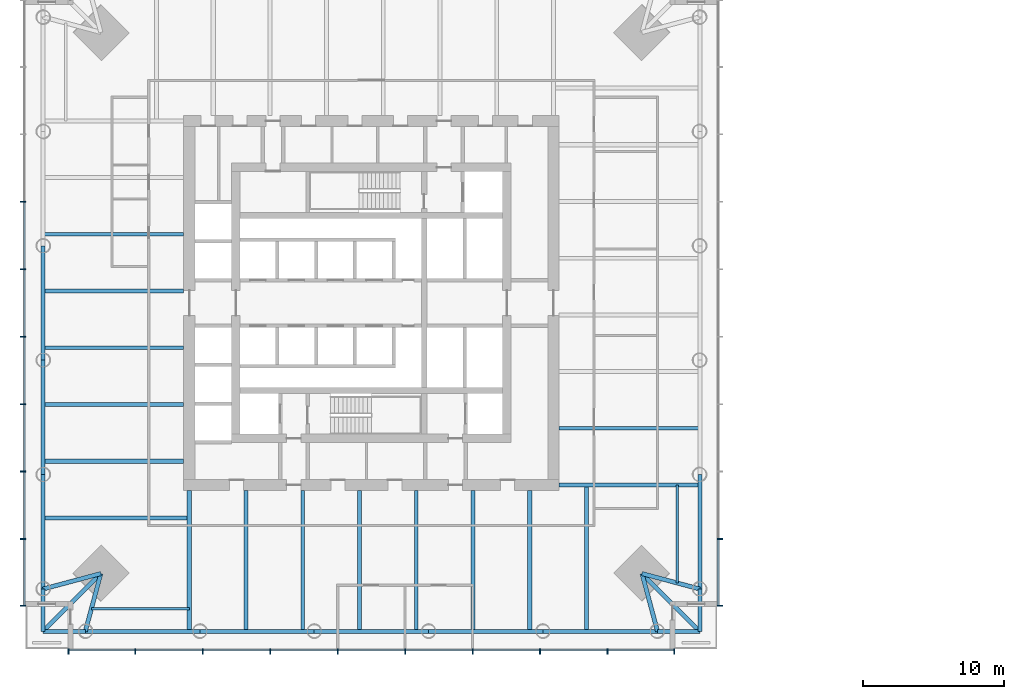
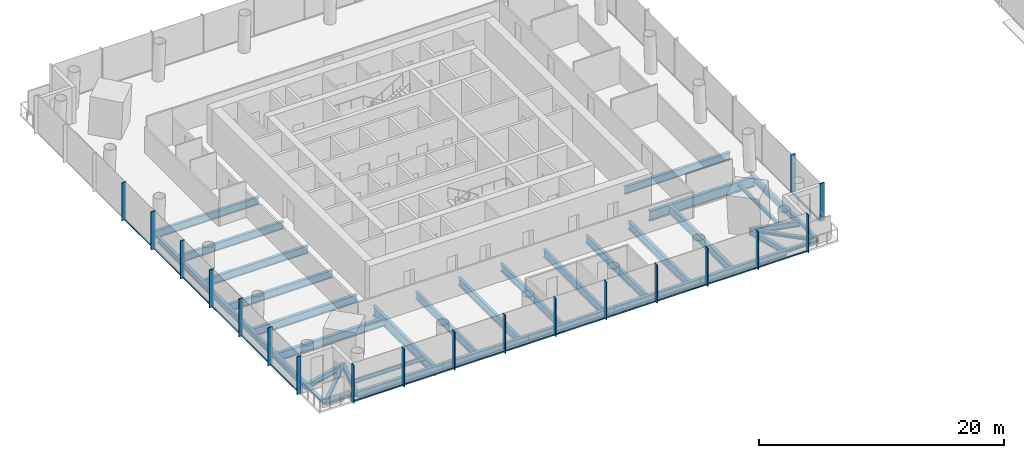
# One storey, part 2 of 21: 37 beams, 35 members, 3 elements without a shape of their own.
"""IFC4 building model written with IfcOpenShell, lengths in metres."""

from ifc_helpers import new_model, si_unit, direction, frame, origin, origin_2d, place, context, subcontext, project, spatial, rectangle, i_section, extrude, material, material_profile, profile_set, type_object, element, aggregate, save


model = new_model("IFC4")

# Units and contexts
model_context = context("Model", 3, precision=1e-05, world=origin(), true_north=direction((0.0, 1.0)))
body_context = subcontext(model_context, "Body", "Model", "MODEL_VIEW")
ifc_project = project(units=[si_unit("LENGTHUNIT", "METRE"), si_unit("AREAUNIT", "SQUARE_METRE"), si_unit("VOLUMEUNIT", "CUBIC_METRE"), si_unit("PLANEANGLEUNIT", "RADIAN"), si_unit("MASSUNIT", "GRAM", prefix="KILO")], contexts=[model_context])

# Site, building, storey
site_placement = place(None, origin())
site = spatial("IfcSite", under=ifc_project, at=site_placement, CompositionType="ELEMENT")
building_placement = place(site_placement, origin())
building = spatial("IfcBuilding", under=site, at=building_placement, Name="Ostroluk Exchange", CompositionType="ELEMENT")
storey_placement = place(building_placement, frame((0.0, 0.0, 43.800048828125)))
storey = spatial("IfcBuildingStorey", under=building, at=storey_placement, Name="L10", CompositionType="ELEMENT", Elevation=43.800048828125)

# Beams
ifc_material_1 = material(Name="Steel S355", Category="steel")
ifc_material_profile_1 = material_profile(ifc_material_1, i_section(OverallWidth=0.300048828125, OverallDepth=0.300048828125, WebThickness=0.010986328125, FlangeThickness=0.01904296875, FilletRadius=0.027099609375, at=origin_2d()), Name="HEB 300")
ifc_profile_set_1 = profile_set([ifc_material_profile_1], Name="Steel S355")
beam_type_1 = type_object("IfcBeamType", Name="Balcony beam HEB 300", PredefinedType="BEAM", material=ifc_profile_set_1)
for number, where, z_axis, x_axis, name in (
    (1, (21.728515625, 25.728515625, -0.330078125), (0.0, -1.0, 0.0), (1.0, 0.0, 0.0), "T1 west balcony beam a"),
    (2, (24.728515625, 22.728515625, -0.330078125), (-1.0, 0.0, 0.0), (0.0, -1.0, 0.0), "T1 west balcony beam b"),
):
    element("IfcBeam", number, at=place(storey_placement, frame(where, z_axis=z_axis, x_axis=x_axis)), inside=storey, type_object=beam_type_1, Name=name, PredefinedType="BEAM", context=body_context, shape_type="SweptSolid", body=[
        extrude(i_section(OverallWidth=0.300048828125, OverallDepth=0.300048828125, WebThickness=0.010986328125, FlangeThickness=0.01904296875, FilletRadius=0.027099609375, at=origin_2d()), origin(), (0.0, 0.0, 1.0), 3.0),
    ])
beam_1_placement = place(storey_placement, frame((25.82861328125, 26.82861328125, -0.330078125), z_axis=(-0.707106781187, -0.707106781187, 0.0), x_axis=(0.707106781187, -0.707106781187, 0.0)))
element("IfcBeam", 3, at=beam_1_placement, inside=storey, type_object=beam_type_1, Name="T1 west balcony beam c", PredefinedType="BEAM", context=body_context, shape_type="SweptSolid", body=[
    extrude(i_section(OverallWidth=0.300048828125, OverallDepth=0.300048828125, WebThickness=0.010986328125, FlangeThickness=0.01904296875, FilletRadius=0.027099609375, at=origin_2d()), origin(), (0.0, 0.0, 1.0), 5.79833984375),
])
for number, where, z_axis, x_axis, name in (
    (4, (65.271484375, 22.728515625, -0.330078125), (1.0, 0.0, 0.0), (0.0, 1.0, 0.0), "T1 south balcony beam a"),
    (5, (68.271484375, 25.728515625, -0.330078125), (0.0, -1.0, 0.0), (1.0, 0.0, 0.0), "T1 south balcony beam b"),
):
    element("IfcBeam", number, at=place(storey_placement, frame(where, z_axis=z_axis, x_axis=x_axis)), inside=storey, type_object=beam_type_1, Name=name, PredefinedType="BEAM", context=body_context, shape_type="SweptSolid", body=[
        extrude(i_section(OverallWidth=0.300048828125, OverallDepth=0.300048828125, WebThickness=0.010986328125, FlangeThickness=0.01904296875, FilletRadius=0.027099609375, at=origin_2d()), origin(), (0.0, 0.0, 1.0), 3.0),
    ])
beam_2_placement = place(storey_placement, frame((64.17138671875, 26.82861328125, -0.330078125), z_axis=(0.707106781187, -0.707106781187, 0.0), x_axis=(0.707106781187, 0.707106781187, 0.0)))
element("IfcBeam", 6, at=beam_2_placement, inside=storey, type_object=beam_type_1, Name="T1 south balcony beam c", PredefinedType="BEAM", context=body_context, shape_type="SweptSolid", body=[
    extrude(i_section(OverallWidth=0.300048828125, OverallDepth=0.300048828125, WebThickness=0.010986328125, FlangeThickness=0.01904296875, FilletRadius=0.027099609375, at=origin_2d()), origin(), (0.0, 0.0, 1.0), 5.79833984375),
])
ifc_material_2 = material(Name="Steel S355", Category="steel")
ifc_material_profile_2 = material_profile(ifc_material_2, i_section(OverallWidth=0.300048828125, OverallDepth=0.550048828125, WebThickness=0.014892578125, FlangeThickness=0.029052734375, FilletRadius=0.027099609375, at=origin_2d()), Name="HEB 550")
ifc_profile_set_2 = profile_set([ifc_material_profile_2], Name="Steel S355")
beam_type_2 = type_object("IfcBeamType", Name="Corner edge beam HEB 550", PredefinedType="SPANDREL", material=ifc_profile_set_2)
for number, where, z_axis, x_axis, name in (
    (7, (25.82861328125, 26.82861328125, -0.455078125), (-0.965838624319, -0.259144268261, 0.0), (0.259144268261, -0.965838624319, 0.0), "T1 west corner edge beam a"),
    (8, (25.82861328125, 26.82861328125, -0.455078125), (-0.259144268261, -0.965838624319, 0.0), (0.965838624319, -0.259144268261, 0.0), "T1 west corner edge beam b"),
    (9, (64.17138671875, 26.82861328125, -0.455078125), (0.259144268261, -0.965838624319, 0.0), (0.965838624319, 0.259144268261, 0.0), "T1 south corner edge beam a"),
    (10, (64.17138671875, 26.82861328125, -0.455078125), (0.965838624319, -0.259144268261, 0.0), (0.259144268261, 0.965838624319, 0.0), "T1 south corner edge beam b"),
):
    element("IfcBeam", number, at=place(storey_placement, frame(where, z_axis=z_axis, x_axis=x_axis)), inside=storey, type_object=beam_type_2, Name=name, PredefinedType="SPANDREL", context=body_context, shape_type="SweptSolid", body=[
        extrude(i_section(OverallWidth=0.300048828125, OverallDepth=0.550048828125, WebThickness=0.014892578125, FlangeThickness=0.029052734375, FilletRadius=0.027099609375, at=origin_2d()), origin(), (0.0, 0.0, 1.0), 4.2451171875),
    ])
ifc_material_3 = material(Name="Steel S355", Category="steel")
ifc_material_profile_3 = material_profile(ifc_material_3, i_section(OverallWidth=0.302978515625, OverallDepth=0.81396484375, WebThickness=0.02099609375, FlangeThickness=0.0400390625, FilletRadius=0.030029296875, at=origin_2d()), Name="HEM 800")
ifc_profile_set_3 = profile_set([ifc_material_profile_3], Name="Steel S355")
beam_type_3 = type_object("IfcBeamType", Name="Floor beam HEM 800", PredefinedType="BEAM", material=ifc_profile_set_3)
beam_3_placement = place(storey_placement, frame((31.699951171875, 34.78564453125, -0.587158203125), z_axis=(-1.0, 0.0, 0.0), x_axis=(0.0, -1.0, 0.0)))
element("IfcBeam", 11, at=beam_3_placement, inside=storey, type_object=beam_type_3, Name="T1 west floor beam 6", PredefinedType="BEAM", context=body_context, shape_type="SweptSolid", body=[
    extrude(i_section(OverallWidth=0.302978515625, OverallDepth=0.81396484375, WebThickness=0.02099609375, FlangeThickness=0.0400390625, FilletRadius=0.030029296875, at=origin_2d()), origin(), (0.0, 0.0, 1.0), 9.971435546875),
])
beam_4_placement = place(storey_placement, frame((32.10009765625, 30.7666015625, -0.587158203125), z_axis=(-1.0, 0.0, 0.0), x_axis=(0.0, -1.0, 0.0)))
element("IfcBeam", 12, at=beam_4_placement, inside=storey, type_object=beam_type_3, Name="T1 west floor beam 7", PredefinedType="BEAM", context=body_context, shape_type="SweptSolid", body=[
    extrude(i_section(OverallWidth=0.302978515625, OverallDepth=0.81396484375, WebThickness=0.02099609375, FlangeThickness=0.0400390625, FilletRadius=0.030029296875, at=origin_2d()), origin(), (0.0, 0.0, 1.0), 10.37158203125),
])
beam_5_placement = place(storey_placement, frame((56.21435546875, 32.699951171875, -0.587158203125), z_axis=(0.0, -1.0, 0.0), x_axis=(1.0, 0.0, 0.0)))
element("IfcBeam", 13, at=beam_5_placement, inside=storey, type_object=beam_type_3, Name="T1 south floor beam 6", PredefinedType="BEAM", context=body_context, shape_type="SweptSolid", body=[
    extrude(i_section(OverallWidth=0.302978515625, OverallDepth=0.81396484375, WebThickness=0.02099609375, FlangeThickness=0.0400390625, FilletRadius=0.030029296875, at=origin_2d()), origin(), (0.0, 0.0, 1.0), 9.971435546875),
])
beam_6_placement = place(storey_placement, frame((60.2333984375, 33.10009765625, -0.587158203125), z_axis=(0.0, -1.0, 0.0), x_axis=(1.0, 0.0, 0.0)))
element("IfcBeam", 14, at=beam_6_placement, inside=storey, type_object=beam_type_3, Name="T1 south floor beam 7", PredefinedType="BEAM", context=body_context, shape_type="SweptSolid", body=[
    extrude(i_section(OverallWidth=0.302978515625, OverallDepth=0.81396484375, WebThickness=0.02099609375, FlangeThickness=0.0400390625, FilletRadius=0.030029296875, at=origin_2d()), origin(), (0.0, 0.0, 1.0), 10.37158203125),
])
ifc_material_4 = material(Name="Steel S355", Category="steel")
ifc_material_profile_4 = material_profile(ifc_material_4, i_section(OverallWidth=0.179931640625, OverallDepth=0.39990234375, WebThickness=0.008544921875, FlangeThickness=0.013427734375, FilletRadius=0.02099609375, at=origin_2d()), Name="IPE 400")
ifc_profile_set_4 = profile_set([ifc_material_profile_4], Name="Steel S355")
beam_type_4 = type_object("IfcBeamType", Name="Floor beam IPE 400", PredefinedType="BEAM", material=ifc_profile_set_4)
for number, where, z_axis, x_axis, name in (
    (15, (32.10009765625, 24.32861328125, -0.380126953125), (-1.0, 0.0, 0.0), (0.0, -1.0, 0.0), "T1 west floor beam 8"),
    (16, (66.67138671875, 33.10009765625, -0.380126953125), (0.0, -1.0, 0.0), (1.0, 0.0, 0.0), "T1 south floor beam 8"),
):
    element("IfcBeam", number, at=place(storey_placement, frame(where, z_axis=z_axis, x_axis=x_axis)), inside=storey, type_object=beam_type_4, Name=name, PredefinedType="BEAM", context=body_context, shape_type="SweptSolid", body=[
        extrude(i_section(OverallWidth=0.179931640625, OverallDepth=0.39990234375, WebThickness=0.008544921875, FlangeThickness=0.013427734375, FilletRadius=0.02099609375, at=origin_2d()), origin(), (0.0, 0.0, 1.0), 6.942138671875),
    ])
ifc_material_5 = material(Name="Steel S355", Category="steel")
ifc_material_profile_5 = material_profile(ifc_material_5, i_section(OverallWidth=0.26806640625, OverallDepth=0.77001953125, WebThickness=0.015625, FlangeThickness=0.025390625, FilletRadius=0.01708984375, at=origin_2d()), Name="IPE 750x196")
ifc_profile_set_5 = profile_set([ifc_material_profile_5], Name="Steel S355")
beam_type_5 = type_object("IfcBeamType", Name="Floor beam IPE 750x196", PredefinedType="BEAM", material=ifc_profile_set_5)
for number, where, z_axis, x_axis, name in (
    (17, (58.300048828125, 37.119140625, -0.56494140625), (1.0, 0.0, 0.0), (0.0, 1.0, 0.0), "T1 east floor beam 1"),
    (18, (31.699951171875, 50.86181640625, -0.56494140625), (-1.0, 0.0, 0.0), (0.0, -1.0, 0.0), "T1 west floor beam 2"),
    (19, (31.699951171875, 46.8427734375, -0.56494140625), (-1.0, 0.0, 0.0), (0.0, -1.0, 0.0), "T1 west floor beam 3"),
    (20, (31.699951171875, 42.82373046875, -0.56494140625), (-1.0, 0.0, 0.0), (0.0, -1.0, 0.0), "T1 west floor beam 4"),
    (21, (31.699951171875, 38.8046875, -0.56494140625), (-1.0, 0.0, 0.0), (0.0, -1.0, 0.0), "T1 west floor beam 5"),
    (22, (36.119140625, 32.699951171875, -0.56494140625), (0.0, -1.0, 0.0), (1.0, 0.0, 0.0), "T1 south floor beam 1"),
    (23, (40.13818359375, 32.699951171875, -0.56494140625), (0.0, -1.0, 0.0), (1.0, 0.0, 0.0), "T1 south floor beam 2"),
    (24, (44.1572265625, 32.699951171875, -0.56494140625), (0.0, -1.0, 0.0), (1.0, 0.0, 0.0), "T1 south floor beam 3"),
    (25, (48.17626953125, 32.699951171875, -0.56494140625), (0.0, -1.0, 0.0), (1.0, 0.0, 0.0), "T1 south floor beam 4"),
    (26, (52.1953125, 32.699951171875, -0.56494140625), (0.0, -1.0, 0.0), (1.0, 0.0, 0.0), "T1 south floor beam 5"),
):
    element("IfcBeam", number, at=place(storey_placement, frame(where, z_axis=z_axis, x_axis=x_axis)), inside=storey, type_object=beam_type_5, Name=name, PredefinedType="BEAM", context=body_context, shape_type="SweptSolid", body=[
        extrude(i_section(OverallWidth=0.26806640625, OverallDepth=0.77001953125, WebThickness=0.015625, FlangeThickness=0.025390625, FilletRadius=0.01708984375, at=origin_2d()), origin(), (0.0, 0.0, 1.0), 9.971435546875),
    ])
ifc_material_6 = material(Name="Steel S355", Category="steel")
ifc_material_profile_6 = material_profile(ifc_material_6, i_section(OverallWidth=0.302001953125, OverallDepth=1.008056640625, WebThickness=0.02099609375, FlangeThickness=0.0400390625, FilletRadius=0.030029296875, at=origin_2d()), Name="HEM 1000")
ifc_profile_set_6 = profile_set([ifc_material_profile_6], Name="Steel S355")
beam_type_6 = type_object("IfcBeamType", Name="Girder HEM 1000", PredefinedType="BEAM", material=ifc_profile_set_6)
for number, where, z_axis, x_axis, name in (
    (27, (32.10009765625, 32.699951171875, -0.68408203125), (0.0, -1.0, 0.0), (1.0, 0.0, 0.0), "T1 west girder"),
    (28, (58.300048828125, 33.10009765625, -0.68408203125), (1.0, 0.0, 0.0), (0.0, 1.0, 0.0), "T1 south girder"),
):
    element("IfcBeam", number, at=place(storey_placement, frame(where, z_axis=z_axis, x_axis=x_axis)), inside=storey, type_object=beam_type_6, Name=name, PredefinedType="BEAM", context=body_context, shape_type="SweptSolid", body=[
        extrude(i_section(OverallWidth=0.302001953125, OverallDepth=1.008056640625, WebThickness=0.02099609375, FlangeThickness=0.0400390625, FilletRadius=0.030029296875, at=origin_2d()), origin(), (0.0, 0.0, 1.0), 9.971435546875),
    ])
ifc_material_7 = material(Name="Steel S355", Category="steel")
ifc_material_profile_7 = material_profile(ifc_material_7, i_section(OverallWidth=0.300048828125, OverallDepth=0.60009765625, WebThickness=0.015380859375, FlangeThickness=0.030029296875, FilletRadius=0.027099609375, at=origin_2d()), Name="HEB 600")
ifc_profile_set_7 = profile_set([ifc_material_profile_7], Name="Steel S355")
beam_type_7 = type_object("IfcBeamType", Name="Moment-connected edge beam HEB 600", PredefinedType="SPANDREL", material=ifc_profile_set_7)
beam_7_placement = place(storey_placement, frame((68.271484375, 25.728515625, -0.47998046875), z_axis=(0.0, 1.0, 0.0), x_axis=(-1.0, 0.0, 0.0)))
element("IfcBeam", 29, at=beam_7_placement, inside=storey, type_object=beam_type_7, Name="T1 east edge beam 1", PredefinedType="SPANDREL", context=body_context, shape_type="SweptSolid", body=[
    extrude(i_section(OverallWidth=0.300048828125, OverallDepth=0.60009765625, WebThickness=0.015380859375, FlangeThickness=0.030029296875, FilletRadius=0.027099609375, at=origin_2d()), origin(), (0.0, 0.0, 1.0), 8.108642578125),
])
beam_8_placement = place(storey_placement, frame((21.728515625, 50.05419921875, -0.47998046875), z_axis=(0.0, -1.0, 0.0), x_axis=(1.0, 0.0, 0.0)))
element("IfcBeam", 30, at=beam_8_placement, inside=storey, type_object=beam_type_7, Name="T1 west edge beam 3", PredefinedType="SPANDREL", context=body_context, shape_type="SweptSolid", body=[
    extrude(i_section(OverallWidth=0.300048828125, OverallDepth=0.60009765625, WebThickness=0.015380859375, FlangeThickness=0.030029296875, FilletRadius=0.027099609375, at=origin_2d()), origin(), (0.0, 0.0, 1.0), 8.1083984375),
])
for number, where, z_axis, x_axis, name in (
    (31, (21.728515625, 41.94580078125, -0.47998046875), (0.0, -1.0, 0.0), (1.0, 0.0, 0.0), "T1 west edge beam 4"),
    (32, (21.728515625, 33.837158203125, -0.47998046875), (0.0, -1.0, 0.0), (1.0, 0.0, 0.0), "T1 west edge beam 5"),
    (33, (24.728515625, 22.728515625, -0.47998046875), (1.0, 0.0, 0.0), (0.0, 1.0, 0.0), "T1 south edge beam 1"),
    (34, (32.837158203125, 22.728515625, -0.47998046875), (1.0, 0.0, 0.0), (0.0, 1.0, 0.0), "T1 south edge beam 2"),
):
    element("IfcBeam", number, at=place(storey_placement, frame(where, z_axis=z_axis, x_axis=x_axis)), inside=storey, type_object=beam_type_7, Name=name, PredefinedType="SPANDREL", context=body_context, shape_type="SweptSolid", body=[
        extrude(i_section(OverallWidth=0.300048828125, OverallDepth=0.60009765625, WebThickness=0.015380859375, FlangeThickness=0.030029296875, FilletRadius=0.027099609375, at=origin_2d()), origin(), (0.0, 0.0, 1.0), 8.108642578125),
    ])
beam_9_placement = place(storey_placement, frame((40.94580078125, 22.728515625, -0.47998046875), z_axis=(1.0, 0.0, 0.0), x_axis=(0.0, 1.0, 0.0)))
element("IfcBeam", 35, at=beam_9_placement, inside=storey, type_object=beam_type_7, Name="T1 south edge beam 3", PredefinedType="SPANDREL", context=body_context, shape_type="SweptSolid", body=[
    extrude(i_section(OverallWidth=0.300048828125, OverallDepth=0.60009765625, WebThickness=0.015380859375, FlangeThickness=0.030029296875, FilletRadius=0.027099609375, at=origin_2d()), origin(), (0.0, 0.0, 1.0), 8.1083984375),
])
for number, where, z_axis, x_axis, name in (
    (36, (49.05419921875, 22.728515625, -0.47998046875), (1.0, 0.0, 0.0), (0.0, 1.0, 0.0), "T1 south edge beam 4"),
    (37, (57.162841796875, 22.728515625, -0.47998046875), (1.0, 0.0, 0.0), (0.0, 1.0, 0.0), "T1 south edge beam 5"),
):
    element("IfcBeam", number, at=place(storey_placement, frame(where, z_axis=z_axis, x_axis=x_axis)), inside=storey, type_object=beam_type_7, Name=name, PredefinedType="SPANDREL", context=body_context, shape_type="SweptSolid", body=[
        extrude(i_section(OverallWidth=0.300048828125, OverallDepth=0.60009765625, WebThickness=0.015380859375, FlangeThickness=0.030029296875, FilletRadius=0.027099609375, at=origin_2d()), origin(), (0.0, 0.0, 1.0), 8.108642578125),
    ])

# Curtain wall, members
ifc_material_8 = material(Name="Laminated clear glass", Category="glass")
curtain_wall_type = type_object("IfcCurtainWallType", Name="Office tower facade", PredefinedType="USERDEFINED", material=ifc_material_8)
curtain_wall_1_placement = place(storey_placement, origin())
curtain_wall_1 = element("IfcCurtainWall", 38, at=curtain_wall_1_placement, inside=storey, type_object=curtain_wall_type, Name="Office tower south facade L10", ObjectType="UNITISED CURTAIN WALL", PredefinedType="USERDEFINED")
ifc_material_9 = material(Name="Aluminium mullion", Category="aluminium")
ifc_material_profile_8 = material_profile(ifc_material_9, rectangle(XDim=0.14990234375, YDim=0.080078125, at=origin_2d()), Name="Sill transom 80 x 150")
ifc_profile_set_8 = profile_set([ifc_material_profile_8], Name="Aluminium mullion")
member_type_1 = type_object("IfcMemberType", Name="Sill transom 80 x 150", PredefinedType="USERDEFINED", material=ifc_profile_set_8)
member_1_placement = place(storey_placement, frame((23.580078125, 21.425048828125, 0.0400390625), z_axis=(1.0, 0.0, 0.0), x_axis=(0.0, 1.0, 0.0)))
member_1 = element("IfcMember", 39, at=member_1_placement, type_object=member_type_1, Name="CW-O1 transom 1.1", ObjectType="TRANSOM", PredefinedType="USERDEFINED", context=body_context, shape_type="SweptSolid", body=[
    extrude(rectangle(XDim=0.14990234375, YDim=0.080078125, at=origin_2d()), origin(), (0.0, 0.0, 1.0), 4.65771484375),
])
member_2_placement = place(storey_placement, frame((28.31787109375, 21.425048828125, 0.0400390625), z_axis=(1.0, 0.0, 0.0), x_axis=(0.0, 1.0, 0.0)))
member_2 = element("IfcMember", 40, at=member_2_placement, type_object=member_type_1, Name="CW-O1 transom 2.1", ObjectType="TRANSOM", PredefinedType="USERDEFINED", context=body_context, shape_type="SweptSolid", body=[
    extrude(rectangle(XDim=0.14990234375, YDim=0.080078125, at=origin_2d()), origin(), (0.0, 0.0, 1.0), 4.69775390625),
])
member_3_placement = place(storey_placement, frame((33.095458984375, 21.425048828125, 0.0400390625), z_axis=(1.0, 0.0, 0.0), x_axis=(0.0, 1.0, 0.0)))
member_3 = element("IfcMember", 41, at=member_3_placement, type_object=member_type_1, Name="CW-O1 transom 3.1", ObjectType="TRANSOM", PredefinedType="USERDEFINED", context=body_context, shape_type="SweptSolid", body=[
    extrude(rectangle(XDim=0.14990234375, YDim=0.080078125, at=origin_2d()), origin(), (0.0, 0.0, 1.0), 4.69775390625),
])
member_4_placement = place(storey_placement, frame((37.873291015625, 21.425048828125, 0.0400390625), z_axis=(1.0, 0.0, 0.0), x_axis=(0.0, 1.0, 0.0)))
member_4 = element("IfcMember", 42, at=member_4_placement, type_object=member_type_1, Name="CW-O1 transom 4.1", ObjectType="TRANSOM", PredefinedType="USERDEFINED", context=body_context, shape_type="SweptSolid", body=[
    extrude(rectangle(XDim=0.14990234375, YDim=0.080078125, at=origin_2d()), origin(), (0.0, 0.0, 1.0), 4.69775390625),
])
member_5_placement = place(storey_placement, frame((42.651123046875, 21.425048828125, 0.0400390625), z_axis=(1.0, 0.0, 0.0), x_axis=(0.0, 1.0, 0.0)))
member_5 = element("IfcMember", 43, at=member_5_placement, type_object=member_type_1, Name="CW-O1 transom 5.1", ObjectType="TRANSOM", PredefinedType="USERDEFINED", context=body_context, shape_type="SweptSolid", body=[
    extrude(rectangle(XDim=0.14990234375, YDim=0.080078125, at=origin_2d()), origin(), (0.0, 0.0, 1.0), 4.69775390625),
])
member_6_placement = place(storey_placement, frame((47.428955078125, 21.425048828125, 0.0400390625), z_axis=(1.0, 0.0, 0.0), x_axis=(0.0, 1.0, 0.0)))
member_6 = element("IfcMember", 44, at=member_6_placement, type_object=member_type_1, Name="CW-O1 transom 6.1", ObjectType="TRANSOM", PredefinedType="USERDEFINED", context=body_context, shape_type="SweptSolid", body=[
    extrude(rectangle(XDim=0.14990234375, YDim=0.080078125, at=origin_2d()), origin(), (0.0, 0.0, 1.0), 4.69775390625),
])
member_7_placement = place(storey_placement, frame((52.206787109375, 21.425048828125, 0.0400390625), z_axis=(1.0, 0.0, 0.0), x_axis=(0.0, 1.0, 0.0)))
member_7 = element("IfcMember", 45, at=member_7_placement, type_object=member_type_1, Name="CW-O1 transom 7.1", ObjectType="TRANSOM", PredefinedType="USERDEFINED", context=body_context, shape_type="SweptSolid", body=[
    extrude(rectangle(XDim=0.14990234375, YDim=0.080078125, at=origin_2d()), origin(), (0.0, 0.0, 1.0), 4.69775390625),
])
member_8_placement = place(storey_placement, frame((56.984375, 21.425048828125, 0.0400390625), z_axis=(1.0, 0.0, 0.0), x_axis=(0.0, 1.0, 0.0)))
member_8 = element("IfcMember", 46, at=member_8_placement, type_object=member_type_1, Name="CW-O1 transom 8.1", ObjectType="TRANSOM", PredefinedType="USERDEFINED", context=body_context, shape_type="SweptSolid", body=[
    extrude(rectangle(XDim=0.14990234375, YDim=0.080078125, at=origin_2d()), origin(), (0.0, 0.0, 1.0), 4.69775390625),
])
member_9_placement = place(storey_placement, frame((61.76220703125, 21.425048828125, 0.0400390625), z_axis=(1.0, 0.0, 0.0), x_axis=(0.0, 1.0, 0.0)))
member_9 = element("IfcMember", 47, at=member_9_placement, type_object=member_type_1, Name="CW-O1 transom 9.1", ObjectType="TRANSOM", PredefinedType="USERDEFINED", context=body_context, shape_type="SweptSolid", body=[
    extrude(rectangle(XDim=0.14990234375, YDim=0.080078125, at=origin_2d()), origin(), (0.0, 0.0, 1.0), 4.65771484375),
])

# Curtain wall, member
curtain_wall_2_placement = place(storey_placement, origin())
curtain_wall_2 = element("IfcCurtainWall", 48, at=curtain_wall_2_placement, inside=storey, type_object=curtain_wall_type, Name="Office tower east facade L10", ObjectType="UNITISED CURTAIN WALL", PredefinedType="USERDEFINED")
member_10_placement = place(storey_placement, frame((69.574951171875, 24.580078125, 0.0400390625), z_axis=(0.0, 1.0, 0.0), x_axis=(-1.0, 0.0, 0.0)))
member_10 = element("IfcMember", 49, at=member_10_placement, type_object=member_type_1, Name="CW-O1 transom 1.1", ObjectType="TRANSOM", PredefinedType="USERDEFINED", context=body_context, shape_type="SweptSolid", body=[
    extrude(rectangle(XDim=0.14990234375, YDim=0.080078125, at=origin_2d()), origin(), (0.0, 0.0, 1.0), 4.65771484375),
])

# Curtain wall, members
curtain_wall_3_placement = place(storey_placement, origin())
curtain_wall_3 = element("IfcCurtainWall", 50, at=curtain_wall_3_placement, inside=storey, type_object=curtain_wall_type, Name="Office tower west facade L10", ObjectType="UNITISED CURTAIN WALL", PredefinedType="USERDEFINED")
member_11_placement = place(storey_placement, frame((20.425048828125, 53.126708984375, 0.0400390625), z_axis=(0.0, -1.0, 0.0), x_axis=(1.0, 0.0, 0.0)))
member_11 = element("IfcMember", 51, at=member_11_placement, type_object=member_type_1, Name="CW-O1 transom 4.1", ObjectType="TRANSOM", PredefinedType="USERDEFINED", context=body_context, shape_type="SweptSolid", body=[
    extrude(rectangle(XDim=0.14990234375, YDim=0.080078125, at=origin_2d()), origin(), (0.0, 0.0, 1.0), 4.69775390625),
])
member_12_placement = place(storey_placement, frame((20.425048828125, 48.348876953125, 0.0400390625), z_axis=(0.0, -1.0, 0.0), x_axis=(1.0, 0.0, 0.0)))
member_12 = element("IfcMember", 52, at=member_12_placement, type_object=member_type_1, Name="CW-O1 transom 5.1", ObjectType="TRANSOM", PredefinedType="USERDEFINED", context=body_context, shape_type="SweptSolid", body=[
    extrude(rectangle(XDim=0.14990234375, YDim=0.080078125, at=origin_2d()), origin(), (0.0, 0.0, 1.0), 4.69775390625),
])
member_13_placement = place(storey_placement, frame((20.425048828125, 43.571044921875, 0.0400390625), z_axis=(0.0, -1.0, 0.0), x_axis=(1.0, 0.0, 0.0)))
member_13 = element("IfcMember", 53, at=member_13_placement, type_object=member_type_1, Name="CW-O1 transom 6.1", ObjectType="TRANSOM", PredefinedType="USERDEFINED", context=body_context, shape_type="SweptSolid", body=[
    extrude(rectangle(XDim=0.14990234375, YDim=0.080078125, at=origin_2d()), origin(), (0.0, 0.0, 1.0), 4.69775390625),
])
member_14_placement = place(storey_placement, frame((20.425048828125, 38.793212890625, 0.0400390625), z_axis=(0.0, -1.0, 0.0), x_axis=(1.0, 0.0, 0.0)))
member_14 = element("IfcMember", 54, at=member_14_placement, type_object=member_type_1, Name="CW-O1 transom 7.1", ObjectType="TRANSOM", PredefinedType="USERDEFINED", context=body_context, shape_type="SweptSolid", body=[
    extrude(rectangle(XDim=0.14990234375, YDim=0.080078125, at=origin_2d()), origin(), (0.0, 0.0, 1.0), 4.69775390625),
])
member_15_placement = place(storey_placement, frame((20.425048828125, 34.015625, 0.0400390625), z_axis=(0.0, -1.0, 0.0), x_axis=(1.0, 0.0, 0.0)))
member_15 = element("IfcMember", 55, at=member_15_placement, type_object=member_type_1, Name="CW-O1 transom 8.1", ObjectType="TRANSOM", PredefinedType="USERDEFINED", context=body_context, shape_type="SweptSolid", body=[
    extrude(rectangle(XDim=0.14990234375, YDim=0.080078125, at=origin_2d()), origin(), (0.0, 0.0, 1.0), 4.69775390625),
])
member_16_placement = place(storey_placement, frame((20.425048828125, 29.23779296875, 0.0400390625), z_axis=(0.0, -1.0, 0.0), x_axis=(1.0, 0.0, 0.0)))
member_16 = element("IfcMember", 56, at=member_16_placement, type_object=member_type_1, Name="CW-O1 transom 9.1", ObjectType="TRANSOM", PredefinedType="USERDEFINED", context=body_context, shape_type="SweptSolid", body=[
    extrude(rectangle(XDim=0.14990234375, YDim=0.080078125, at=origin_2d()), origin(), (0.0, 0.0, 1.0), 4.65771484375),
])

# Member
ifc_material_10 = material(Name="Aluminium mullion with limestone facing", Category="masonry")
ifc_material_profile_9 = material_profile(ifc_material_10, rectangle(XDim=0.39990234375, YDim=0.080078125, at=origin_2d()), Name="Tracery mullion 80 x 400")
ifc_profile_set_9 = profile_set([ifc_material_profile_9], Name="Aluminium mullion with limestone facing")
member_type_2 = type_object("IfcMemberType", Name="Tracery mullion 80 x 400", PredefinedType="MULLION", material=ifc_profile_set_9)
member_17_placement = place(storey_placement, frame((23.5400390625, 21.300048828125, 0.0), z_axis=(0.0, 0.0, 1.0), x_axis=(0.0, 1.0, 0.0)))
member_17 = element("IfcMember", 57, at=member_17_placement, type_object=member_type_2, Name="CW-O1 mullion 1", PredefinedType="MULLION", context=body_context, shape_type="SweptSolid", body=[
    extrude(rectangle(XDim=0.39990234375, YDim=0.080078125, at=origin_2d()), origin(), (0.0, 0.0, 1.0), 3.800048828125),
])

member_18_placement = place(storey_placement, frame((28.27783203125, 21.300048828125, 0.0), z_axis=(0.0, 0.0, 1.0), x_axis=(0.0, 1.0, 0.0)))
member_18 = element("IfcMember", 58, at=member_18_placement, type_object=member_type_2, Name="CW-O1 mullion 2", PredefinedType="MULLION", context=body_context, shape_type="SweptSolid", body=[
    extrude(rectangle(XDim=0.39990234375, YDim=0.080078125, at=origin_2d()), origin(), (0.0, 0.0, 1.0), 3.800048828125),
])

member_19_placement = place(storey_placement, frame((33.0556640625, 21.300048828125, 0.0), z_axis=(0.0, 0.0, 1.0), x_axis=(0.0, 1.0, 0.0)))
member_19 = element("IfcMember", 59, at=member_19_placement, type_object=member_type_2, Name="CW-O1 mullion 3", PredefinedType="MULLION", context=body_context, shape_type="SweptSolid", body=[
    extrude(rectangle(XDim=0.39990234375, YDim=0.080078125, at=origin_2d()), origin(), (0.0, 0.0, 1.0), 3.800048828125),
])

member_20_placement = place(storey_placement, frame((37.833251953125, 21.300048828125, 0.0), z_axis=(0.0, 0.0, 1.0), x_axis=(0.0, 1.0, 0.0)))
member_20 = element("IfcMember", 60, at=member_20_placement, type_object=member_type_2, Name="CW-O1 mullion 4", PredefinedType="MULLION", context=body_context, shape_type="SweptSolid", body=[
    extrude(rectangle(XDim=0.39990234375, YDim=0.080078125, at=origin_2d()), origin(), (0.0, 0.0, 1.0), 3.800048828125),
])

member_21_placement = place(storey_placement, frame((42.611083984375, 21.300048828125, 0.0), z_axis=(0.0, 0.0, 1.0), x_axis=(0.0, 1.0, 0.0)))
member_21 = element("IfcMember", 61, at=member_21_placement, type_object=member_type_2, Name="CW-O1 mullion 5", PredefinedType="MULLION", context=body_context, shape_type="SweptSolid", body=[
    extrude(rectangle(XDim=0.39990234375, YDim=0.080078125, at=origin_2d()), origin(), (0.0, 0.0, 1.0), 3.800048828125),
])

member_22_placement = place(storey_placement, frame((47.388916015625, 21.300048828125, 0.0), z_axis=(0.0, 0.0, 1.0), x_axis=(0.0, 1.0, 0.0)))
member_22 = element("IfcMember", 62, at=member_22_placement, type_object=member_type_2, Name="CW-O1 mullion 6", PredefinedType="MULLION", context=body_context, shape_type="SweptSolid", body=[
    extrude(rectangle(XDim=0.39990234375, YDim=0.080078125, at=origin_2d()), origin(), (0.0, 0.0, 1.0), 3.800048828125),
])

member_23_placement = place(storey_placement, frame((52.166748046875, 21.300048828125, 0.0), z_axis=(0.0, 0.0, 1.0), x_axis=(0.0, 1.0, 0.0)))
member_23 = element("IfcMember", 63, at=member_23_placement, type_object=member_type_2, Name="CW-O1 mullion 7", PredefinedType="MULLION", context=body_context, shape_type="SweptSolid", body=[
    extrude(rectangle(XDim=0.39990234375, YDim=0.080078125, at=origin_2d()), origin(), (0.0, 0.0, 1.0), 3.800048828125),
])

member_24_placement = place(storey_placement, frame((56.9443359375, 21.300048828125, 0.0), z_axis=(0.0, 0.0, 1.0), x_axis=(0.0, 1.0, 0.0)))
member_24 = element("IfcMember", 64, at=member_24_placement, type_object=member_type_2, Name="CW-O1 mullion 8", PredefinedType="MULLION", context=body_context, shape_type="SweptSolid", body=[
    extrude(rectangle(XDim=0.39990234375, YDim=0.080078125, at=origin_2d()), origin(), (0.0, 0.0, 1.0), 3.800048828125),
])

member_25_placement = place(storey_placement, frame((61.72216796875, 21.300048828125, 0.0), z_axis=(0.0, 0.0, 1.0), x_axis=(0.0, 1.0, 0.0)))
member_25 = element("IfcMember", 65, at=member_25_placement, type_object=member_type_2, Name="CW-O1 mullion 9", PredefinedType="MULLION", context=body_context, shape_type="SweptSolid", body=[
    extrude(rectangle(XDim=0.39990234375, YDim=0.080078125, at=origin_2d()), origin(), (0.0, 0.0, 1.0), 3.800048828125),
])

member_26_placement = place(storey_placement, frame((66.4599609375, 21.300048828125, 0.0), z_axis=(0.0, 0.0, 1.0), x_axis=(0.0, 1.0, 0.0)))
member_26 = element("IfcMember", 66, at=member_26_placement, type_object=member_type_2, Name="CW-O1 mullion 10", PredefinedType="MULLION", context=body_context, shape_type="SweptSolid", body=[
    extrude(rectangle(XDim=0.39990234375, YDim=0.080078125, at=origin_2d()), origin(), (0.0, 0.0, 1.0), 3.800048828125),
])

aggregate(curtain_wall_1, [member_17, member_18, member_19, member_20, member_21, member_22, member_23, member_24, member_25, member_26, member_1, member_2, member_3, member_4, member_5, member_6, member_7, member_8, member_9])

member_27_placement = place(storey_placement, frame((69.699951171875, 24.5400390625, 0.0), z_axis=(0.0, 0.0, 1.0), x_axis=(-1.0, 0.0, 0.0)))
member_27 = element("IfcMember", 67, at=member_27_placement, type_object=member_type_2, Name="CW-O1 mullion 1", PredefinedType="MULLION", context=body_context, shape_type="SweptSolid", body=[
    extrude(rectangle(XDim=0.39990234375, YDim=0.080078125, at=origin_2d()), origin(), (0.0, 0.0, 1.0), 3.800048828125),
])

member_28_placement = place(storey_placement, frame((69.699951171875, 29.27783203125, 0.0), z_axis=(0.0, 0.0, 1.0), x_axis=(-1.0, 0.0, 0.0)))
member_28 = element("IfcMember", 68, at=member_28_placement, type_object=member_type_2, Name="CW-O1 mullion 2", PredefinedType="MULLION", context=body_context, shape_type="SweptSolid", body=[
    extrude(rectangle(XDim=0.39990234375, YDim=0.080078125, at=origin_2d()), origin(), (0.0, 0.0, 1.0), 3.800048828125),
])

aggregate(curtain_wall_2, [member_27, member_28, member_10])

member_29_placement = place(storey_placement, frame((20.300048828125, 53.166748046875, 0.0), z_axis=(0.0, 0.0, 1.0), x_axis=(1.0, 0.0, 0.0)))
member_29 = element("IfcMember", 69, at=member_29_placement, type_object=member_type_2, Name="CW-O1 mullion 4", PredefinedType="MULLION", context=body_context, shape_type="SweptSolid", body=[
    extrude(rectangle(XDim=0.39990234375, YDim=0.080078125, at=origin_2d()), origin(), (0.0, 0.0, 1.0), 3.800048828125),
])

member_30_placement = place(storey_placement, frame((20.300048828125, 48.388916015625, 0.0), z_axis=(0.0, 0.0, 1.0), x_axis=(1.0, 0.0, 0.0)))
member_30 = element("IfcMember", 70, at=member_30_placement, type_object=member_type_2, Name="CW-O1 mullion 5", PredefinedType="MULLION", context=body_context, shape_type="SweptSolid", body=[
    extrude(rectangle(XDim=0.39990234375, YDim=0.080078125, at=origin_2d()), origin(), (0.0, 0.0, 1.0), 3.800048828125),
])

member_31_placement = place(storey_placement, frame((20.300048828125, 43.611083984375, 0.0), z_axis=(0.0, 0.0, 1.0), x_axis=(1.0, 0.0, 0.0)))
member_31 = element("IfcMember", 71, at=member_31_placement, type_object=member_type_2, Name="CW-O1 mullion 6", PredefinedType="MULLION", context=body_context, shape_type="SweptSolid", body=[
    extrude(rectangle(XDim=0.39990234375, YDim=0.080078125, at=origin_2d()), origin(), (0.0, 0.0, 1.0), 3.800048828125),
])

member_32_placement = place(storey_placement, frame((20.300048828125, 38.833251953125, 0.0), z_axis=(0.0, 0.0, 1.0), x_axis=(1.0, 0.0, 0.0)))
member_32 = element("IfcMember", 72, at=member_32_placement, type_object=member_type_2, Name="CW-O1 mullion 7", PredefinedType="MULLION", context=body_context, shape_type="SweptSolid", body=[
    extrude(rectangle(XDim=0.39990234375, YDim=0.080078125, at=origin_2d()), origin(), (0.0, 0.0, 1.0), 3.800048828125),
])

member_33_placement = place(storey_placement, frame((20.300048828125, 34.0556640625, 0.0), z_axis=(0.0, 0.0, 1.0), x_axis=(1.0, 0.0, 0.0)))
member_33 = element("IfcMember", 73, at=member_33_placement, type_object=member_type_2, Name="CW-O1 mullion 8", PredefinedType="MULLION", context=body_context, shape_type="SweptSolid", body=[
    extrude(rectangle(XDim=0.39990234375, YDim=0.080078125, at=origin_2d()), origin(), (0.0, 0.0, 1.0), 3.800048828125),
])

member_34_placement = place(storey_placement, frame((20.300048828125, 29.27783203125, 0.0), z_axis=(0.0, 0.0, 1.0), x_axis=(1.0, 0.0, 0.0)))
member_34 = element("IfcMember", 74, at=member_34_placement, type_object=member_type_2, Name="CW-O1 mullion 9", PredefinedType="MULLION", context=body_context, shape_type="SweptSolid", body=[
    extrude(rectangle(XDim=0.39990234375, YDim=0.080078125, at=origin_2d()), origin(), (0.0, 0.0, 1.0), 3.800048828125),
])

member_35_placement = place(storey_placement, frame((20.300048828125, 24.5400390625, 0.0), z_axis=(0.0, 0.0, 1.0), x_axis=(1.0, 0.0, 0.0)))
member_35 = element("IfcMember", 75, at=member_35_placement, type_object=member_type_2, Name="CW-O1 mullion 10", PredefinedType="MULLION", context=body_context, shape_type="SweptSolid", body=[
    extrude(rectangle(XDim=0.39990234375, YDim=0.080078125, at=origin_2d()), origin(), (0.0, 0.0, 1.0), 3.800048828125),
])

aggregate(curtain_wall_3, [member_29, member_30, member_31, member_32, member_33, member_34, member_35, member_11, member_12, member_13, member_14, member_15, member_16])

save(model, "model.ifc")
